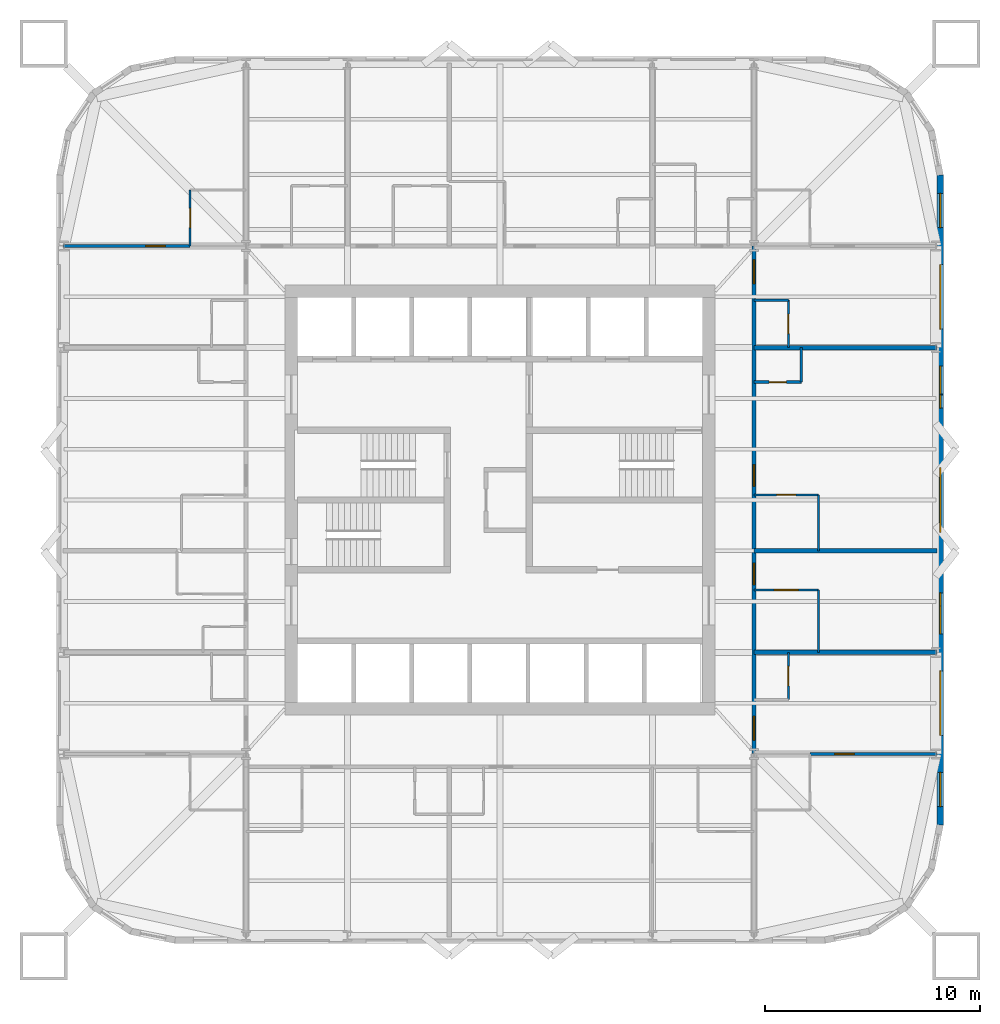
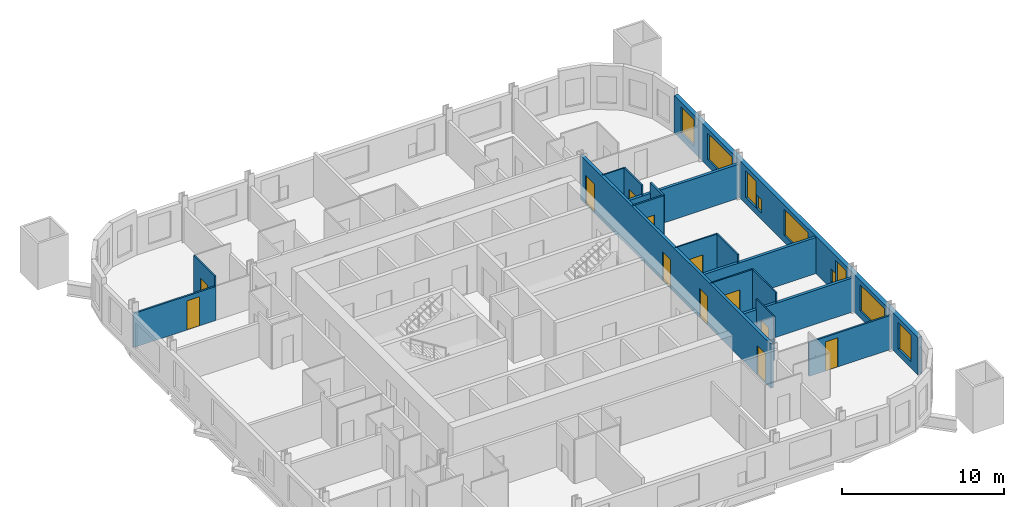
# One storey, part 6 of 9: 17 walls, 12 doors, 9 windows, 21 openings.
"""IFC4 building model written with IfcOpenShell, lengths in metres."""

from ifc_helpers import new_model, si_unit, direction, frame, frame_2d, origin, place, context, subcontext, project, spatial, rectangle, extrude, material, layer, layer_set, type_object, element, fill, save


model = new_model("IFC4")

# Units and contexts
model_context = context("Model", 3, precision=1e-05, world=origin(), true_north=direction((0.0, 1.0)))
body_context = subcontext(model_context, "Body", "Model", "MODEL_VIEW")
ifc_project = project(units=[si_unit("LENGTHUNIT", "METRE"), si_unit("AREAUNIT", "SQUARE_METRE"), si_unit("VOLUMEUNIT", "CUBIC_METRE"), si_unit("PLANEANGLEUNIT", "RADIAN"), si_unit("MASSUNIT", "GRAM", prefix="KILO")], contexts=[model_context])

# Site, building, storey
site_placement = place(None, origin())
site = spatial("IfcSite", under=ifc_project, at=site_placement, CompositionType="ELEMENT")
building_placement = place(site_placement, origin())
building = spatial("IfcBuilding", under=site, at=building_placement, Name="Turquesa Mirador Hotel Tower", CompositionType="ELEMENT")
storey_placement = place(building_placement, frame((0.0, 0.0, 128.39990234375)))
storey = spatial("IfcBuildingStorey", under=building, at=storey_placement, Name="L34", CompositionType="ELEMENT", Elevation=128.39990234375)

# Wall, opening, door
ifc_material_1 = material(Name="Gypsum board on steel studs", Category="steel")
ifc_layer_1 = layer(ifc_material_1, 0.10009765625)
ifc_layer_set_1 = layer_set([ifc_layer_1], Name="BATHROOM WALL 100")
wall_type_1 = type_object("IfcWallType", Name="BATHROOM WALL 100", PredefinedType="PARTITIONING", material=ifc_layer_set_1)
wall_1_placement = place(storey_placement, frame((66.800048828125, 40.820068359375, 0.0), z_axis=(0.0, 0.0, 1.0), x_axis=(1.0, 0.0, 0.0)))
wall_1 = element("IfcWall", 1, at=wall_1_placement, inside=storey, type_object=wall_type_1, Name="Partition L34 015", PredefinedType="PARTITIONING", context=body_context, shape_type="SweptSolid", body=[
    extrude(rectangle(XDim=3.0, YDim=0.10009765625, at=frame_2d((1.5, 0.0))), origin(), (0.0, 0.0, 1.0), 3.330078125),
])
opening_1_placement = place(wall_1_placement, frame((0.949951171875, 0.0, 0.0)))
opening_1 = element("IfcOpeningElement", 2, at=opening_1_placement, cuts=wall_1, Name="Opening D16", PredefinedType="OPENING", context=body_context, shape_type="SweptSolid", body=[
    extrude(rectangle(XDim=1.10009765625, YDim=2.10009765625, at=frame_2d((0.550048828125, 1.050048828125))), frame((0.0, 0.06005859375, 0.0), z_axis=(0.0, -1.0, 0.0), x_axis=(1.0, 0.0, 0.0)), (0.0, 0.0, 1.0), 0.1201171875),
])
ifc_material_2 = material(Name="Timber veneered sliding door", Category="wood")
door_type_1 = type_object("IfcDoorType", Name="DOOR 1100X2100 ACCESSIBLE EN-SUITE", OperationType="SLIDING_TO_LEFT", PredefinedType="DOOR", material=ifc_material_2)
door_1_placement = place(opening_1_placement, origin())
door_1 = element("IfcDoor", 3, at=door_1_placement, inside=storey, type_object=door_type_1, Name="Door 3407B", OperationType="SLIDING_TO_LEFT", OverallHeight=2.10009765625, OverallWidth=1.10009765625, PredefinedType="DOOR", context=body_context, shape_type="SweptSolid", body=[
    extrude(rectangle(XDim=1.10009765625, YDim=2.10009765625, at=frame_2d((0.550048828125, 1.050048828125))), frame((0.0, 0.02490234375, 0.0), z_axis=(0.0, -1.0, 0.0), x_axis=(1.0, 0.0, 0.0)), (0.0, 0.0, 1.0), 0.050048828125),
])
fill(opening_1, door_1)

wall_2_placement = place(storey_placement, frame((66.800048828125, 45.239990234375, 0.0), z_axis=(0.0, 0.0, 1.0), x_axis=(1.0, 0.0, 0.0)))
wall_2 = element("IfcWall", 4, at=wall_2_placement, inside=storey, type_object=wall_type_1, Name="Partition L34 023", PredefinedType="PARTITIONING", context=body_context, shape_type="SweptSolid", body=[
    extrude(rectangle(XDim=3.0, YDim=0.10009765625, at=frame_2d((1.5, 0.0))), origin(), (0.0, 0.0, 1.0), 3.330078125),
])
opening_2_placement = place(wall_2_placement, frame((1.050048828125, 0.0, 0.0)))
opening_2 = element("IfcOpeningElement", 5, at=opening_2_placement, cuts=wall_2, Name="Opening D02", PredefinedType="OPENING", context=body_context, shape_type="SweptSolid", body=[
    extrude(rectangle(XDim=0.89990234375, YDim=2.10009765625, at=frame_2d((0.449951171875, 1.050048828125))), frame((0.0, 0.06005859375, 0.0), z_axis=(0.0, -1.0, 0.0), x_axis=(1.0, 0.0, 0.0)), (0.0, 0.0, 1.0), 0.1201171875),
])
ifc_material_3 = material(Name="Timber veneered door", Category="wood")
door_type_2 = type_object("IfcDoorType", Name="DOOR 900X2100 EN-SUITE", OperationType="SINGLE_SWING_RIGHT", PredefinedType="DOOR", material=ifc_material_3)
door_2_placement = place(opening_2_placement, origin())
door_2 = element("IfcDoor", 6, at=door_2_placement, inside=storey, type_object=door_type_2, Name="Door 3408B", OperationType="SINGLE_SWING_RIGHT", OverallHeight=2.10009765625, OverallWidth=0.89990234375, PredefinedType="DOOR", context=body_context, shape_type="SweptSolid", body=[
    extrude(rectangle(XDim=0.89990234375, YDim=2.10009765625, at=frame_2d((0.449951171875, 1.050048828125))), frame((0.0, 0.02490234375, 0.0), z_axis=(0.0, -1.0, 0.0), x_axis=(1.0, 0.0, 0.0)), (0.0, 0.0, 1.0), 0.050048828125),
])
fill(opening_2, door_2)

# Wall
wall_3_placement = place(storey_placement, frame((66.800048828125, 54.280029296875, 0.0), z_axis=(0.0, 0.0, 1.0), x_axis=(1.0, 0.0, 0.0)))
element("IfcWall", 7, at=wall_3_placement, inside=storey, type_object=wall_type_1, Name="Partition L34 042", PredefinedType="PARTITIONING", context=body_context, shape_type="SweptSolid", body=[
    extrude(rectangle(XDim=1.599853515625, YDim=0.10009765625, at=frame_2d((0.7998046875, 0.0))), origin(), (0.0, 0.0, 1.0), 3.330078125),
])

# Wall, opening, door
wall_4_placement = place(storey_placement, frame((40.60009765625, 56.800048828125, 0.0), z_axis=(0.0, 0.0, 1.0), x_axis=(0.0, 1.0, 0.0)))
wall_4 = element("IfcWall", 8, at=wall_4_placement, inside=storey, type_object=wall_type_1, Name="Partition L34 052", PredefinedType="PARTITIONING", context=body_context, shape_type="SweptSolid", body=[
    extrude(rectangle(XDim=2.599853515625, YDim=0.10009765625, at=frame_2d((1.2998046875, 0.0))), origin(), (0.0, 0.0, 1.0), 3.330078125),
])
opening_3_placement = place(wall_4_placement, frame((0.85009765625, 0.0, 0.0)))
opening_3 = element("IfcOpeningElement", 9, at=opening_3_placement, cuts=wall_4, Name="Opening D02", PredefinedType="OPENING", context=body_context, shape_type="SweptSolid", body=[
    extrude(rectangle(XDim=0.89990234375, YDim=2.10009765625, at=frame_2d((0.449951171875, 1.050048828125))), frame((0.0, 0.06005859375, 0.0), z_axis=(0.0, -1.0, 0.0), x_axis=(1.0, 0.0, 0.0)), (0.0, 0.0, 1.0), 0.1201171875),
])
door_3_placement = place(opening_3_placement, origin())
door_3 = element("IfcDoor", 10, at=door_3_placement, inside=storey, type_object=door_type_2, Name="Door 3412B", OperationType="SINGLE_SWING_RIGHT", OverallHeight=2.10009765625, OverallWidth=0.89990234375, PredefinedType="DOOR", context=body_context, shape_type="SweptSolid", body=[
    extrude(rectangle(XDim=0.89990234375, YDim=2.10009765625, at=frame_2d((0.449951171875, 1.050048828125))), frame((0.0, 0.02490234375, 0.0), z_axis=(0.0, -1.0, 0.0), x_axis=(1.0, 0.0, 0.0)), (0.0, 0.0, 1.0), 0.050048828125),
])
fill(opening_3, door_3)

wall_5_placement = place(storey_placement, frame((68.39990234375, 35.719970703125, 0.0), z_axis=(0.0, 0.0, 1.0), x_axis=(0.0, 1.0, 0.0)))
wall_5 = element("IfcWall", 11, at=wall_5_placement, inside=storey, type_object=wall_type_1, Name="Partition L34 068", PredefinedType="PARTITIONING", context=body_context, shape_type="SweptSolid", body=[
    extrude(rectangle(XDim=2.199951171875, YDim=0.10009765625, at=frame_2d((1.10009765625, 0.0))), origin(), (0.0, 0.0, 1.0), 3.330078125),
])
opening_4_placement = place(wall_5_placement, frame((0.64990234375, 0.0, 0.0)))
opening_4 = element("IfcOpeningElement", 12, at=opening_4_placement, cuts=wall_5, Name="Opening D06", PredefinedType="OPENING", context=body_context, shape_type="SweptSolid", body=[
    extrude(rectangle(XDim=0.89990234375, YDim=2.10009765625, at=frame_2d((0.449951171875, 1.050048828125))), frame((0.0, 0.06005859375, 0.0), z_axis=(0.0, -1.0, 0.0), x_axis=(1.0, 0.0, 0.0)), (0.0, 0.0, 1.0), 0.1201171875),
])
ifc_material_4 = material(Name="Laminate door", Category="wood")
door_type_3 = type_object("IfcDoorType", Name="DOOR 900X2100 WC", OperationType="SINGLE_SWING_LEFT", PredefinedType="DOOR", material=ifc_material_4)
door_4_placement = place(opening_4_placement, origin())
door_4 = element("IfcDoor", 13, at=door_4_placement, inside=storey, type_object=door_type_3, Name="Door 3414W", OperationType="SINGLE_SWING_LEFT", OverallHeight=2.10009765625, OverallWidth=0.89990234375, PredefinedType="DOOR", context=body_context, shape_type="SweptSolid", body=[
    extrude(rectangle(XDim=0.89990234375, YDim=2.10009765625, at=frame_2d((0.449951171875, 1.050048828125))), frame((0.0, 0.02490234375, 0.0), z_axis=(0.0, -1.0, 0.0), x_axis=(1.0, 0.0, 0.0)), (0.0, 0.0, 1.0), 0.050048828125),
])
fill(opening_4, door_4)

wall_6_placement = place(storey_placement, frame((68.39990234375, 52.080078125, 0.0), z_axis=(0.0, 0.0, 1.0), x_axis=(0.0, 1.0, 0.0)))
wall_6 = element("IfcWall", 14, at=wall_6_placement, inside=storey, type_object=wall_type_1, Name="Partition L34 069", PredefinedType="PARTITIONING", context=body_context, shape_type="SweptSolid", body=[
    extrude(rectangle(XDim=2.199951171875, YDim=0.10009765625, at=frame_2d((1.10009765625, 0.0))), origin(), (0.0, 0.0, 1.0), 3.330078125),
])
opening_5_placement = place(wall_6_placement, frame((0.64990234375, 0.0, 0.0)))
opening_5 = element("IfcOpeningElement", 15, at=opening_5_placement, cuts=wall_6, Name="Opening D06", PredefinedType="OPENING", context=body_context, shape_type="SweptSolid", body=[
    extrude(rectangle(XDim=0.89990234375, YDim=2.10009765625, at=frame_2d((0.449951171875, 1.050048828125))), frame((0.0, 0.06005859375, 0.0), z_axis=(0.0, -1.0, 0.0), x_axis=(1.0, 0.0, 0.0)), (0.0, 0.0, 1.0), 0.1201171875),
])
door_5_placement = place(opening_5_placement, origin())
door_5 = element("IfcDoor", 16, at=door_5_placement, inside=storey, type_object=door_type_3, Name="Door 3411W", OperationType="SINGLE_SWING_LEFT", OverallHeight=2.10009765625, OverallWidth=0.89990234375, PredefinedType="DOOR", context=body_context, shape_type="SweptSolid", body=[
    extrude(rectangle(XDim=0.89990234375, YDim=2.10009765625, at=frame_2d((0.449951171875, 1.050048828125))), frame((0.0, 0.02490234375, 0.0), z_axis=(0.0, -1.0, 0.0), x_axis=(1.0, 0.0, 0.0)), (0.0, 0.0, 1.0), 0.050048828125),
])
fill(opening_5, door_5)

# Walls
wall_7_placement = place(storey_placement, frame((69.800048828125, 37.919921875, 0.0), z_axis=(0.0, 0.0, 1.0), x_axis=(0.0, 1.0, 0.0)))
element("IfcWall", 17, at=wall_7_placement, inside=storey, type_object=wall_type_1, Name="Partition L34 073", PredefinedType="PARTITIONING", context=body_context, shape_type="SweptSolid", body=[
    extrude(rectangle(XDim=2.900146484375, YDim=0.10009765625, at=frame_2d((1.4501953125, 0.0))), origin(), (0.0, 0.0, 1.0), 3.330078125),
])
wall_8_placement = place(storey_placement, frame((69.800048828125, 42.639892578125, 0.0), z_axis=(0.0, 0.0, 1.0), x_axis=(0.0, 1.0, 0.0)))
element("IfcWall", 18, at=wall_8_placement, inside=storey, type_object=wall_type_1, Name="Partition L34 074", PredefinedType="PARTITIONING", context=body_context, shape_type="SweptSolid", body=[
    extrude(rectangle(XDim=2.60009765625, YDim=0.10009765625, at=frame_2d((1.300048828125, 0.0))), origin(), (0.0, 0.0, 1.0), 3.330078125),
])

# Wall, openings, doors
ifc_material_5 = material(Name="Fire-rated gypsum board on steel studs", Category="steel")
ifc_layer_2 = layer(ifc_material_5, 0.199951171875)
ifc_layer_set_2 = layer_set([ifc_layer_2], Name="CORRIDOR WALL 200")
wall_type_2 = type_object("IfcWallType", Name="CORRIDOR WALL 200", PredefinedType="PARTITIONING", material=ifc_layer_set_2)
wall_9_placement = place(storey_placement, frame((66.800048828125, 33.219970703125, 0.0), z_axis=(0.0, 0.0, 1.0), x_axis=(0.0, 1.0, 0.0)))
wall_9 = element("IfcWall", 19, at=wall_9_placement, inside=storey, type_object=wall_type_2, Name="Partition L34 065", PredefinedType="PARTITIONING", context=body_context, shape_type="SweptSolid", body=[
    extrude(rectangle(XDim=23.580078125, YDim=0.199951171875, at=frame_2d((11.7900390625, 0.0))), origin(), (0.0, 0.0, 1.0), 3.330078125),
])
opening_6_placement = place(wall_9_placement, frame((7.85009765625, 0.0, 0.0)))
opening_6 = element("IfcOpeningElement", 20, at=opening_6_placement, cuts=wall_9, Name="Opening D01", PredefinedType="OPENING", context=body_context, shape_type="SweptSolid", body=[
    extrude(rectangle(XDim=1.0, YDim=2.199951171875, at=frame_2d((0.5, 1.10009765625))), frame((0.0, 0.10986328125, 0.0), z_axis=(0.0, -1.0, 0.0), x_axis=(1.0, 0.0, 0.0)), (0.0, 0.0, 1.0), 0.219970703125),
])
opening_7_placement = place(wall_9_placement, frame((12.419921875, 0.0, 0.0)))
opening_7 = element("IfcOpeningElement", 21, at=opening_7_placement, cuts=wall_9, Name="Opening D01", PredefinedType="OPENING", context=body_context, shape_type="SweptSolid", body=[
    extrude(rectangle(XDim=1.0, YDim=2.199951171875, at=frame_2d((0.5, 1.10009765625))), frame((0.0, 0.10986328125, 0.0), z_axis=(0.0, -1.0, 0.0), x_axis=(1.0, 0.0, 0.0)), (0.0, 0.0, 1.0), 0.219970703125),
])
opening_8_placement = place(wall_9_placement, frame((21.830078125, 0.0, 0.0)))
opening_8 = element("IfcOpeningElement", 22, at=opening_8_placement, cuts=wall_9, Name="Opening D15", PredefinedType="OPENING", context=body_context, shape_type="SweptSolid", body=[
    extrude(rectangle(XDim=1.10009765625, YDim=2.199951171875, at=frame_2d((0.550048828125, 1.10009765625))), frame((0.0, 0.10986328125, 0.0), z_axis=(0.0, -1.0, 0.0), x_axis=(1.0, 0.0, 0.0)), (0.0, 0.0, 1.0), 0.219970703125),
])
opening_9_placement = place(wall_9_placement, frame((0.6298828125, 0.0, 0.0)))
opening_9 = element("IfcOpeningElement", 23, at=opening_9_placement, cuts=wall_9, Name="Opening D15", PredefinedType="OPENING", context=body_context, shape_type="SweptSolid", body=[
    extrude(rectangle(XDim=1.10009765625, YDim=2.199951171875, at=frame_2d((0.550048828125, 1.10009765625))), frame((0.0, 0.10986328125, 0.0), z_axis=(0.0, -1.0, 0.0), x_axis=(1.0, 0.0, 0.0)), (0.0, 0.0, 1.0), 0.219970703125),
])
ifc_material_6 = material(Name="Timber veneered fire door", Category="wood")
door_type_4 = type_object("IfcDoorType", Name="DOOR 1000X2200 GUEST ENTRY", OperationType="SINGLE_SWING_LEFT", PredefinedType="DOOR", material=ifc_material_6)
door_6_placement = place(opening_6_placement, origin())
door_6 = element("IfcDoor", 24, at=door_6_placement, inside=storey, type_object=door_type_4, Name="Door 3407", OperationType="SINGLE_SWING_LEFT", OverallHeight=2.199951171875, OverallWidth=1.0, PredefinedType="DOOR", context=body_context, shape_type="SweptSolid", body=[
    extrude(rectangle(XDim=1.0, YDim=2.199951171875, at=frame_2d((0.5, 1.10009765625))), frame((0.0, 0.02490234375, 0.0), z_axis=(0.0, -1.0, 0.0), x_axis=(1.0, 0.0, 0.0)), (0.0, 0.0, 1.0), 0.050048828125),
])
fill(opening_6, door_6)
door_7_placement = place(opening_7_placement, origin())
door_7 = element("IfcDoor", 25, at=door_7_placement, inside=storey, type_object=door_type_4, Name="Door 3408", OperationType="SINGLE_SWING_LEFT", OverallHeight=2.199951171875, OverallWidth=1.0, PredefinedType="DOOR", context=body_context, shape_type="SweptSolid", body=[
    extrude(rectangle(XDim=1.0, YDim=2.199951171875, at=frame_2d((0.5, 1.10009765625))), frame((0.0, 0.02490234375, 0.0), z_axis=(0.0, -1.0, 0.0), x_axis=(1.0, 0.0, 0.0)), (0.0, 0.0, 1.0), 0.050048828125),
])
fill(opening_7, door_7)
ifc_material_7 = material(Name="Timber veneered fire door", Category="wood")
door_type_5 = type_object("IfcDoorType", Name="DOOR 1100X2200 SUITE ENTRY", OperationType="SINGLE_SWING_LEFT", PredefinedType="DOOR", material=ifc_material_7)
door_8_placement = place(opening_8_placement, origin())
door_8 = element("IfcDoor", 26, at=door_8_placement, inside=storey, type_object=door_type_5, Name="Door 3411", OperationType="SINGLE_SWING_LEFT", OverallHeight=2.199951171875, OverallWidth=1.10009765625, PredefinedType="DOOR", context=body_context, shape_type="SweptSolid", body=[
    extrude(rectangle(XDim=1.10009765625, YDim=2.199951171875, at=frame_2d((0.550048828125, 1.10009765625))), frame((0.0, 0.02490234375, 0.0), z_axis=(0.0, -1.0, 0.0), x_axis=(1.0, 0.0, 0.0)), (0.0, 0.0, 1.0), 0.050048828125),
])
fill(opening_8, door_8)
door_9_placement = place(opening_9_placement, origin())
door_9 = element("IfcDoor", 27, at=door_9_placement, inside=storey, type_object=door_type_5, Name="Door 3414", OperationType="SINGLE_SWING_LEFT", OverallHeight=2.199951171875, OverallWidth=1.10009765625, PredefinedType="DOOR", context=body_context, shape_type="SweptSolid", body=[
    extrude(rectangle(XDim=1.10009765625, YDim=2.199951171875, at=frame_2d((0.550048828125, 1.10009765625))), frame((0.0, 0.02490234375, 0.0), z_axis=(0.0, -1.0, 0.0), x_axis=(1.0, 0.0, 0.0)), (0.0, 0.0, 1.0), 0.050048828125),
])
fill(opening_9, door_9)

# Wall, openings, windows
ifc_material_8 = material(Name="Limestone cladding on concrete block", Category="masonry")
ifc_layer_3 = layer(ifc_material_8, 0.300048828125)
ifc_layer_set_3 = layer_set([ifc_layer_3], Name="FACADE WALL 300 STONE SCREEN")
wall_type_3 = type_object("IfcWallType", Name="FACADE WALL 300 STONE SCREEN", PredefinedType="SOLIDWALL", material=ifc_layer_set_3)
wall_10_placement = place(storey_placement, frame((75.449951171875, 29.89990234375, 0.0), z_axis=(0.0, 0.0, 1.0), x_axis=(0.0, 1.0, 0.0)))
wall_10 = element("IfcWall", 28, at=wall_10_placement, inside=storey, type_object=wall_type_3, Name="Facade wall L34 04", PredefinedType="SOLIDWALL", context=body_context, shape_type="SweptSolid", body=[
    extrude(rectangle(XDim=30.2001953125, YDim=0.300048828125, at=frame_2d((15.10009765625, 0.0))), origin(), (0.0, 0.0, 1.0), 2.830078125),
])
opening_10_placement = place(wall_10_placement, frame((0.85009765625, 0.0, 0.5)))
opening_10 = element("IfcOpeningElement", 29, at=opening_10_placement, cuts=wall_10, Name="Opening WN3", PredefinedType="OPENING", context=body_context, shape_type="SweptSolid", body=[
    extrude(rectangle(XDim=1.60009765625, YDim=2.0, at=frame_2d((0.800048828125, 1.0))), frame((0.0, 0.159912109375, 0.0), z_axis=(0.0, -1.0, 0.0), x_axis=(1.0, 0.0, 0.0)), (0.0, 0.0, 1.0), 0.320068359375),
])
opening_11_placement = place(wall_10_placement, frame((4.159912109375, 0.0, 0.5)))
opening_11 = element("IfcOpeningElement", 30, at=opening_11_placement, cuts=wall_10, Name="Opening WN1", PredefinedType="OPENING", context=body_context, shape_type="SweptSolid", body=[
    extrude(rectangle(XDim=3.0, YDim=2.0, at=frame_2d((1.5, 1.0))), frame((0.0, 0.159912109375, 0.0), z_axis=(0.0, -1.0, 0.0), x_axis=(1.0, 0.0, 0.0)), (0.0, 0.0, 1.0), 0.320068359375),
])
opening_12_placement = place(wall_10_placement, frame((8.8798828125, 0.0, 0.5)))
opening_12 = element("IfcOpeningElement", 31, at=opening_12_placement, cuts=wall_10, Name="Opening WN42", PredefinedType="OPENING", context=body_context, shape_type="SweptSolid", body=[
    extrude(rectangle(XDim=1.300048828125, YDim=2.0, at=frame_2d((0.64990234375, 1.0))), frame((0.0, 0.159912109375, 0.0), z_axis=(0.0, -1.0, 0.0), x_axis=(1.0, 0.0, 0.0)), (0.0, 0.0, 1.0), 0.320068359375),
])
opening_13_placement = place(wall_10_placement, frame((13.60009765625, 0.0, 0.5)))
opening_13 = element("IfcOpeningElement", 32, at=opening_13_placement, cuts=wall_10, Name="Opening WN1", PredefinedType="OPENING", context=body_context, shape_type="SweptSolid", body=[
    extrude(rectangle(XDim=3.0, YDim=2.0, at=frame_2d((1.5, 1.0))), frame((0.0, 0.159912109375, 0.0), z_axis=(0.0, -1.0, 0.0), x_axis=(1.0, 0.0, 0.0)), (0.0, 0.0, 1.0), 0.320068359375),
])
opening_14_placement = place(wall_10_placement, frame((20.02001953125, 0.0, 0.5)))
opening_14 = element("IfcOpeningElement", 33, at=opening_14_placement, cuts=wall_10, Name="Opening WN42", PredefinedType="OPENING", context=body_context, shape_type="SweptSolid", body=[
    extrude(rectangle(XDim=1.300048828125, YDim=2.0, at=frame_2d((0.64990234375, 1.0))), frame((0.0, 0.159912109375, 0.0), z_axis=(0.0, -1.0, 0.0), x_axis=(1.0, 0.0, 0.0)), (0.0, 0.0, 1.0), 0.320068359375),
])
opening_15_placement = place(wall_10_placement, frame((23.0400390625, 0.0, 0.5)))
opening_15 = element("IfcOpeningElement", 34, at=opening_15_placement, cuts=wall_10, Name="Opening WN1", PredefinedType="OPENING", context=body_context, shape_type="SweptSolid", body=[
    extrude(rectangle(XDim=3.0, YDim=2.0, at=frame_2d((1.5, 1.0))), frame((0.0, 0.159912109375, 0.0), z_axis=(0.0, -1.0, 0.0), x_axis=(1.0, 0.0, 0.0)), (0.0, 0.0, 1.0), 0.320068359375),
])
opening_16_placement = place(wall_10_placement, frame((27.75, 0.0, 0.5)))
opening_16 = element("IfcOpeningElement", 35, at=opening_16_placement, cuts=wall_10, Name="Opening WN3", PredefinedType="OPENING", context=body_context, shape_type="SweptSolid", body=[
    extrude(rectangle(XDim=1.60009765625, YDim=2.0, at=frame_2d((0.800048828125, 1.0))), frame((0.0, 0.159912109375, 0.0), z_axis=(0.0, -1.0, 0.0), x_axis=(1.0, 0.0, 0.0)), (0.0, 0.0, 1.0), 0.320068359375),
])
opening_17_placement = place(wall_10_placement, frame((10.179931640625, 0.0, 0.5)))
opening_17 = element("IfcOpeningElement", 36, at=opening_17_placement, cuts=wall_10, Name="Opening WN29", PredefinedType="OPENING", context=body_context, shape_type="SweptSolid", body=[
    extrude(rectangle(XDim=0.60009765625, YDim=1.0, at=frame_2d((0.300048828125, 0.5))), frame((0.0, 0.159912109375, 0.0), z_axis=(0.0, -1.0, 0.0), x_axis=(1.0, 0.0, 0.0)), (0.0, 0.0, 1.0), 0.320068359375),
])
opening_18_placement = place(wall_10_placement, frame((19.3701171875, 0.0, 0.5)))
opening_18 = element("IfcOpeningElement", 37, at=opening_18_placement, cuts=wall_10, Name="Opening WN29", PredefinedType="OPENING", context=body_context, shape_type="SweptSolid", body=[
    extrude(rectangle(XDim=0.60009765625, YDim=1.0, at=frame_2d((0.300048828125, 0.5))), frame((0.0, 0.159912109375, 0.0), z_axis=(0.0, -1.0, 0.0), x_axis=(1.0, 0.0, 0.0)), (0.0, 0.0, 1.0), 0.320068359375),
])
ifc_material_9 = material(Name="Ceramic-fritted laminated glass", Category="glass")
window_type_1 = type_object("IfcWindowType", Name="FRITTED WINDOW 1300X2000", PartitioningType="DOUBLE_PANEL_HORIZONTAL", PredefinedType="WINDOW", material=ifc_material_9)
window_1_placement = place(opening_12_placement, origin())
window_1 = element("IfcWindow", 38, at=window_1_placement, inside=storey, type_object=window_type_1, Name="Window L34", OverallHeight=2.0, OverallWidth=1.300048828125, PartitioningType="SINGLE_PANEL", PredefinedType="WINDOW", context=body_context, shape_type="SweptSolid", body=[
    extrude(rectangle(XDim=1.300048828125, YDim=2.0, at=frame_2d((0.64990234375, 1.0))), frame((0.0, 0.030029296875, 0.0), z_axis=(0.0, -1.0, 0.0), x_axis=(1.0, 0.0, 0.0)), (0.0, 0.0, 1.0), 0.06005859375),
])
fill(opening_12, window_1)
window_2_placement = place(opening_14_placement, origin())
window_2 = element("IfcWindow", 39, at=window_2_placement, inside=storey, type_object=window_type_1, Name="Window L34", OverallHeight=2.0, OverallWidth=1.300048828125, PartitioningType="SINGLE_PANEL", PredefinedType="WINDOW", context=body_context, shape_type="SweptSolid", body=[
    extrude(rectangle(XDim=1.300048828125, YDim=2.0, at=frame_2d((0.64990234375, 1.0))), frame((0.0, 0.030029296875, 0.0), z_axis=(0.0, -1.0, 0.0), x_axis=(1.0, 0.0, 0.0)), (0.0, 0.0, 1.0), 0.06005859375),
])
fill(opening_14, window_2)
ifc_material_10 = material(Name="Ceramic-fritted laminated glass", Category="glass")
window_type_2 = type_object("IfcWindowType", Name="FRITTED WINDOW 1600X2000", PartitioningType="DOUBLE_PANEL_HORIZONTAL", PredefinedType="WINDOW", material=ifc_material_10)
window_3_placement = place(opening_10_placement, origin())
window_3 = element("IfcWindow", 40, at=window_3_placement, inside=storey, type_object=window_type_2, Name="Window L34", OverallHeight=2.0, OverallWidth=1.60009765625, PartitioningType="SINGLE_PANEL", PredefinedType="WINDOW", context=body_context, shape_type="SweptSolid", body=[
    extrude(rectangle(XDim=1.60009765625, YDim=2.0, at=frame_2d((0.800048828125, 1.0))), frame((0.0, 0.030029296875, 0.0), z_axis=(0.0, -1.0, 0.0), x_axis=(1.0, 0.0, 0.0)), (0.0, 0.0, 1.0), 0.06005859375),
])
fill(opening_10, window_3)
window_4_placement = place(opening_16_placement, origin())
window_4 = element("IfcWindow", 41, at=window_4_placement, inside=storey, type_object=window_type_2, Name="Window L34", OverallHeight=2.0, OverallWidth=1.60009765625, PartitioningType="SINGLE_PANEL", PredefinedType="WINDOW", context=body_context, shape_type="SweptSolid", body=[
    extrude(rectangle(XDim=1.60009765625, YDim=2.0, at=frame_2d((0.800048828125, 1.0))), frame((0.0, 0.030029296875, 0.0), z_axis=(0.0, -1.0, 0.0), x_axis=(1.0, 0.0, 0.0)), (0.0, 0.0, 1.0), 0.06005859375),
])
fill(opening_16, window_4)
ifc_material_11 = material(Name="Ceramic-fritted laminated glass", Category="glass")
window_type_3 = type_object("IfcWindowType", Name="FRITTED WINDOW 3000X2000", PartitioningType="DOUBLE_PANEL_HORIZONTAL", PredefinedType="WINDOW", material=ifc_material_11)
window_5_placement = place(opening_11_placement, origin())
window_5 = element("IfcWindow", 42, at=window_5_placement, inside=storey, type_object=window_type_3, Name="Window L34", OverallHeight=2.0, OverallWidth=3.0, PartitioningType="SINGLE_PANEL", PredefinedType="WINDOW", context=body_context, shape_type="SweptSolid", body=[
    extrude(rectangle(XDim=3.0, YDim=2.0, at=frame_2d((1.5, 1.0))), frame((0.0, 0.030029296875, 0.0), z_axis=(0.0, -1.0, 0.0), x_axis=(1.0, 0.0, 0.0)), (0.0, 0.0, 1.0), 0.06005859375),
])
fill(opening_11, window_5)
window_6_placement = place(opening_13_placement, origin())
window_6 = element("IfcWindow", 43, at=window_6_placement, inside=storey, type_object=window_type_3, Name="Window L34", OverallHeight=2.0, OverallWidth=3.0, PartitioningType="SINGLE_PANEL", PredefinedType="WINDOW", context=body_context, shape_type="SweptSolid", body=[
    extrude(rectangle(XDim=3.0, YDim=2.0, at=frame_2d((1.5, 1.0))), frame((0.0, 0.030029296875, 0.0), z_axis=(0.0, -1.0, 0.0), x_axis=(1.0, 0.0, 0.0)), (0.0, 0.0, 1.0), 0.06005859375),
])
fill(opening_13, window_6)
window_7_placement = place(opening_15_placement, origin())
window_7 = element("IfcWindow", 44, at=window_7_placement, inside=storey, type_object=window_type_3, Name="Window L34", OverallHeight=2.0, OverallWidth=3.0, PartitioningType="SINGLE_PANEL", PredefinedType="WINDOW", context=body_context, shape_type="SweptSolid", body=[
    extrude(rectangle(XDim=3.0, YDim=2.0, at=frame_2d((1.5, 1.0))), frame((0.0, 0.030029296875, 0.0), z_axis=(0.0, -1.0, 0.0), x_axis=(1.0, 0.0, 0.0)), (0.0, 0.0, 1.0), 0.06005859375),
])
fill(opening_15, window_7)
ifc_material_12 = material(Name="Ceramic-fritted laminated glass", Category="glass")
window_type_4 = type_object("IfcWindowType", Name="FRITTED WINDOW 600X1000", PartitioningType="DOUBLE_PANEL_HORIZONTAL", PredefinedType="WINDOW", material=ifc_material_12)
window_8_placement = place(opening_17_placement, origin())
window_8 = element("IfcWindow", 45, at=window_8_placement, inside=storey, type_object=window_type_4, Name="Window L34", OverallHeight=1.0, OverallWidth=0.60009765625, PartitioningType="SINGLE_PANEL", PredefinedType="WINDOW", context=body_context, shape_type="SweptSolid", body=[
    extrude(rectangle(XDim=0.60009765625, YDim=1.0, at=frame_2d((0.300048828125, 0.5))), frame((0.0, 0.030029296875, 0.0), z_axis=(0.0, -1.0, 0.0), x_axis=(1.0, 0.0, 0.0)), (0.0, 0.0, 1.0), 0.06005859375),
])
fill(opening_17, window_8)
window_9_placement = place(opening_18_placement, origin())
window_9 = element("IfcWindow", 46, at=window_9_placement, inside=storey, type_object=window_type_4, Name="Window L34", OverallHeight=1.0, OverallWidth=0.60009765625, PartitioningType="SINGLE_PANEL", PredefinedType="WINDOW", context=body_context, shape_type="SweptSolid", body=[
    extrude(rectangle(XDim=0.60009765625, YDim=1.0, at=frame_2d((0.300048828125, 0.5))), frame((0.0, 0.030029296875, 0.0), z_axis=(0.0, -1.0, 0.0), x_axis=(1.0, 0.0, 0.0)), (0.0, 0.0, 1.0), 0.06005859375),
])
fill(opening_18, window_9)

# Walls
ifc_material_13 = material(Name="Fire-rated gypsum board on steel studs", Category="steel")
ifc_layer_4 = layer(ifc_material_13, 0.199951171875)
ifc_layer_set_4 = layer_set([ifc_layer_4], Name="PARTY WALL 200")
wall_type_4 = type_object("IfcWallType", Name="PARTY WALL 200", PredefinedType="PARTITIONING", material=ifc_layer_set_4)
wall_11_placement = place(storey_placement, frame((66.800048828125, 42.639892578125, 0.0), z_axis=(0.0, 0.0, 1.0), x_axis=(1.0, 0.0, 0.0)))
element("IfcWall", 47, at=wall_11_placement, inside=storey, type_object=wall_type_4, Name="Partition L34 014", PredefinedType="PARTITIONING", context=body_context, shape_type="SweptSolid", body=[
    extrude(rectangle(XDim=8.5, YDim=0.199951171875, at=frame_2d((4.25, 0.0))), origin(), (0.0, 0.0, 1.0), 2.730712890625),
])
for number, where, z_axis, x_axis, name in (
    (48, (66.800048828125, 37.919921875, 0.0), (0.0, 0.0, 1.0), (1.0, 0.0, 0.0), "Partition L34 019"),
    (49, (66.800048828125, 52.080078125, 0.0), (0.0, 0.0, 1.0), (1.0, 0.0, 0.0), "Partition L34 040"),
):
    element("IfcWall", number, at=place(storey_placement, frame(where, z_axis=z_axis, x_axis=x_axis)), inside=storey, type_object=wall_type_4, Name=name, PredefinedType="PARTITIONING", context=body_context, shape_type="SweptSolid", body=[
        extrude(rectangle(XDim=8.5, YDim=0.199951171875, at=frame_2d((4.25, 0.0))), origin(), (0.0, 0.0, 1.0), 2.5732421875),
    ])

# Wall, opening, door
ifc_material_14 = material(Name="Acoustic gypsum board on steel studs", Category="steel")
ifc_layer_5 = layer(ifc_material_14, 0.125)
ifc_layer_set_5 = layer_set([ifc_layer_5], Name="SUITE PARTITION 125")
wall_type_5 = type_object("IfcWallType", Name="SUITE PARTITION 125", PredefinedType="PARTITIONING", material=ifc_layer_set_5)
wall_12_placement = place(storey_placement, frame((69.39990234375, 33.199951171875, 0.0), z_axis=(0.0, 0.0, 1.0), x_axis=(1.0, 0.0, 0.0)))
wall_12 = element("IfcWall", 50, at=wall_12_placement, inside=storey, type_object=wall_type_5, Name="Partition L34 004", PredefinedType="PARTITIONING", context=body_context, shape_type="SweptSolid", body=[
    extrude(rectangle(XDim=5.900146484375, YDim=0.125, at=frame_2d((2.9501953125, 0.0))), origin(), (0.0, 0.0, 1.0), 2.5732421875),
])
opening_19_placement = place(wall_12_placement, frame((1.14990234375, 0.0, 0.0)))
opening_19 = element("IfcOpeningElement", 51, at=opening_19_placement, cuts=wall_12, Name="Opening D17", PredefinedType="OPENING", context=body_context, shape_type="SweptSolid", body=[
    extrude(rectangle(XDim=0.89990234375, YDim=2.199951171875, at=frame_2d((0.449951171875, 1.10009765625))), frame((0.0, 0.072509765625, 0.0), z_axis=(0.0, -1.0, 0.0), x_axis=(1.0, 0.0, 0.0)), (0.0, 0.0, 1.0), 0.14501953125),
])
ifc_material_15 = material(Name="Timber veneered door", Category="wood")
door_type_6 = type_object("IfcDoorType", Name="DOOR 900X2200 SUITE INTERNAL", OperationType="SINGLE_SWING_LEFT", PredefinedType="DOOR", material=ifc_material_15)
door_10_placement = place(opening_19_placement, origin())
door_10 = element("IfcDoor", 52, at=door_10_placement, inside=storey, type_object=door_type_6, Name="Door 3414R", OperationType="SINGLE_SWING_LEFT", OverallHeight=2.199951171875, OverallWidth=0.89990234375, PredefinedType="DOOR", context=body_context, shape_type="SweptSolid", body=[
    extrude(rectangle(XDim=0.89990234375, YDim=2.199951171875, at=frame_2d((0.449951171875, 1.10009765625))), frame((0.0, 0.02490234375, 0.0), z_axis=(0.0, -1.0, 0.0), x_axis=(1.0, 0.0, 0.0)), (0.0, 0.0, 1.0), 0.050048828125),
])
fill(opening_19, door_10)

wall_13_placement = place(storey_placement, frame((34.699951171875, 56.800048828125, 0.0), z_axis=(0.0, 0.0, 1.0), x_axis=(1.0, 0.0, 0.0)))
wall_13 = element("IfcWall", 53, at=wall_13_placement, inside=storey, type_object=wall_type_5, Name="Partition L34 027", PredefinedType="PARTITIONING", context=body_context, shape_type="SweptSolid", body=[
    extrude(rectangle(XDim=5.900146484375, YDim=0.125, at=frame_2d((2.9501953125, 0.0))), origin(), (0.0, 0.0, 1.0), 2.5732421875),
])
opening_20_placement = place(wall_13_placement, frame((3.85009765625, 0.0, 0.0)))
opening_20 = element("IfcOpeningElement", 54, at=opening_20_placement, cuts=wall_13, Name="Opening D17", PredefinedType="OPENING", context=body_context, shape_type="SweptSolid", body=[
    extrude(rectangle(XDim=0.89990234375, YDim=2.199951171875, at=frame_2d((0.449951171875, 1.10009765625))), frame((0.0, 0.072509765625, 0.0), z_axis=(0.0, -1.0, 0.0), x_axis=(1.0, 0.0, 0.0)), (0.0, 0.0, 1.0), 0.14501953125),
])
door_11_placement = place(opening_20_placement, origin())
door_11 = element("IfcDoor", 55, at=door_11_placement, inside=storey, type_object=door_type_6, Name="Door 3412R", OperationType="SINGLE_SWING_LEFT", OverallHeight=2.199951171875, OverallWidth=0.89990234375, PredefinedType="DOOR", context=body_context, shape_type="SweptSolid", body=[
    extrude(rectangle(XDim=0.89990234375, YDim=2.199951171875, at=frame_2d((0.449951171875, 1.10009765625))), frame((0.0, 0.02490234375, 0.0), z_axis=(0.0, -1.0, 0.0), x_axis=(1.0, 0.0, 0.0)), (0.0, 0.0, 1.0), 0.050048828125),
])
fill(opening_20, door_11)

wall_14_placement = place(storey_placement, frame((66.800048828125, 50.47998046875, 0.0), z_axis=(0.0, 0.0, 1.0), x_axis=(1.0, 0.0, 0.0)))
wall_14 = element("IfcWall", 56, at=wall_14_placement, inside=storey, type_object=wall_type_5, Name="Partition L34 038", PredefinedType="PARTITIONING", context=body_context, shape_type="SweptSolid", body=[
    extrude(rectangle(XDim=2.199951171875, YDim=0.125, at=frame_2d((1.10009765625, 0.0))), origin(), (0.0, 0.0, 1.0), 3.330078125),
])
opening_21_placement = place(wall_14_placement, frame((0.699951171875, 0.0, 0.0)))
opening_21 = element("IfcOpeningElement", 57, at=opening_21_placement, cuts=wall_14, Name="Opening D20", PredefinedType="OPENING", context=body_context, shape_type="SweptSolid", body=[
    extrude(rectangle(XDim=0.800048828125, YDim=2.10009765625, at=frame_2d((0.39990234375, 1.050048828125))), frame((0.0, 0.072509765625, 0.0), z_axis=(0.0, -1.0, 0.0), x_axis=(1.0, 0.0, 0.0)), (0.0, 0.0, 1.0), 0.14501953125),
])
ifc_material_16 = material(Name="Timber veneered sliding door", Category="wood")
door_type_7 = type_object("IfcDoorType", Name="DOOR 800X2100 WARDROBE", OperationType="SLIDING_TO_LEFT", PredefinedType="DOOR", material=ifc_material_16)
door_12_placement = place(opening_21_placement, origin())
door_12 = element("IfcDoor", 58, at=door_12_placement, inside=storey, type_object=door_type_7, Name="Door 3408W", OperationType="SLIDING_TO_LEFT", OverallHeight=2.10009765625, OverallWidth=0.800048828125, PredefinedType="DOOR", context=body_context, shape_type="SweptSolid", body=[
    extrude(rectangle(XDim=0.800048828125, YDim=2.10009765625, at=frame_2d((0.39990234375, 1.050048828125))), frame((0.0, 0.02490234375, 0.0), z_axis=(0.0, -1.0, 0.0), x_axis=(1.0, 0.0, 0.0)), (0.0, 0.0, 1.0), 0.050048828125),
])
fill(opening_21, door_12)

# Wall
wall_15_placement = place(storey_placement, frame((69.0, 50.47998046875, 0.0), z_axis=(0.0, 0.0, 1.0), x_axis=(0.0, 1.0, 0.0)))
element("IfcWall", 59, at=wall_15_placement, inside=storey, type_object=wall_type_5, Name="Partition L34 070", PredefinedType="PARTITIONING", context=body_context, shape_type="SweptSolid", body=[
    extrude(rectangle(XDim=1.60009765625, YDim=0.125, at=frame_2d((0.800048828125, 0.0))), origin(), (0.0, 0.0, 1.0), 3.330078125),
])

save(model, "model.ifc")
